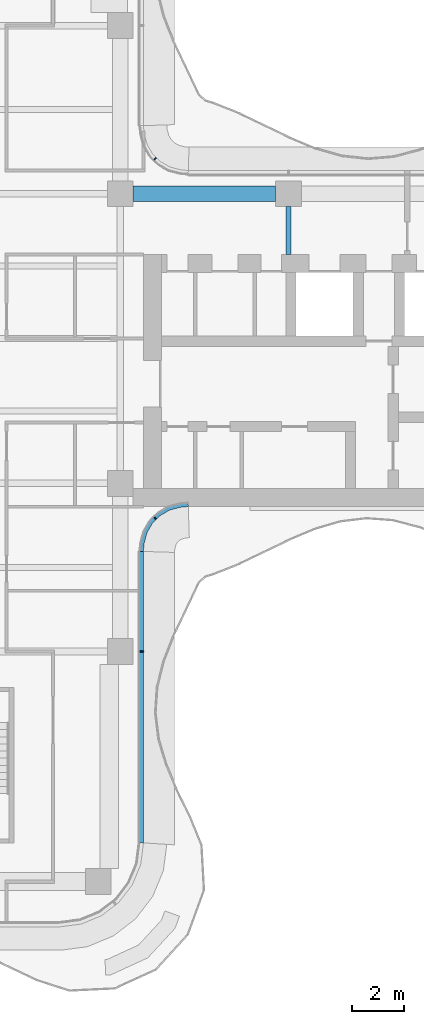
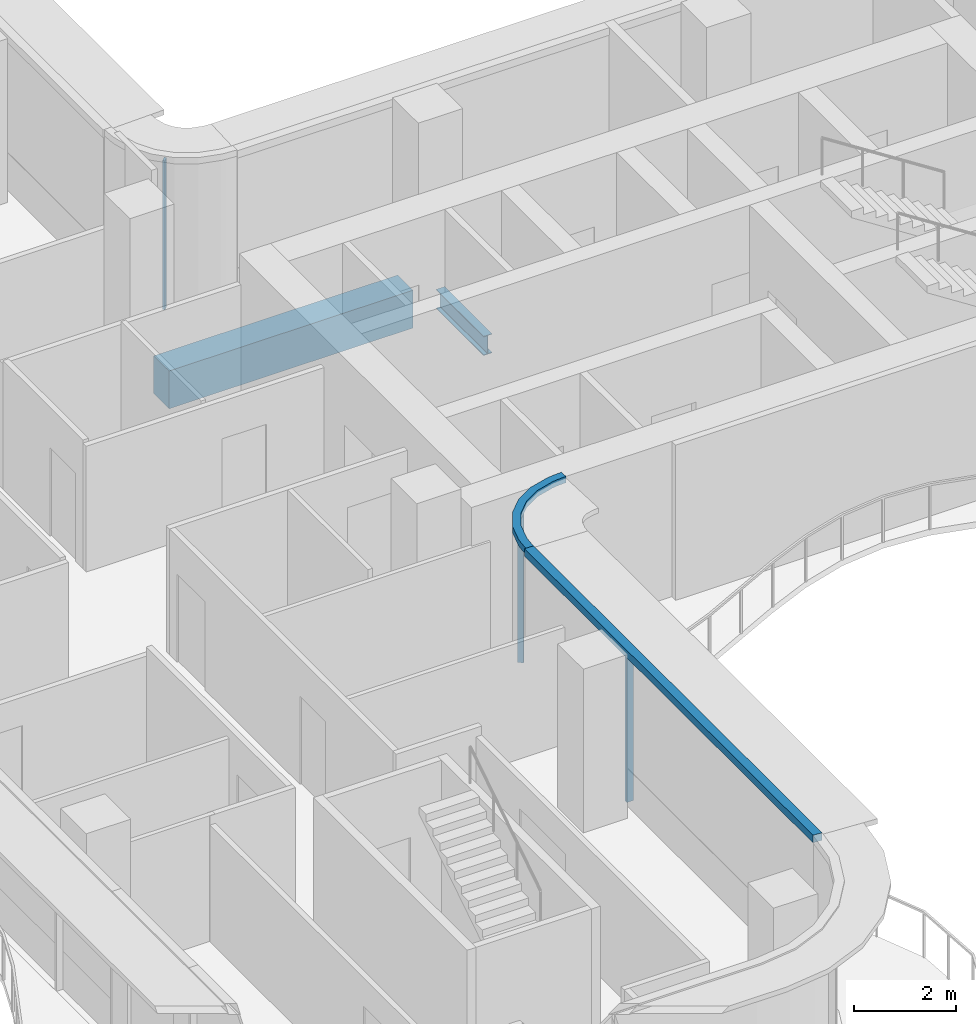
# One storey, part 5 of 16: 5 members, 2 beams, 3 elements without a shape of their own.
"""IFC4 building model written with IfcOpenShell, lengths in metres."""

import ifcopenshell
import ifcopenshell.guid

model = None  # the IFC model being written
_history = None  # IfcOwnerHistory: only IFC2X3 demands one
_inside = {}  # id of a spatial element -> (the spatial element, [elements in it])
_under = {}  # id of a project, library or spatial element -> (it, [spatial elements below it])
_declared = {}  # id of a project -> (the project, [libraries it declares])
_typed = {}  # id of a type object -> (the type object, [elements of that type])
_made_of = {}  # id of a material, layer set ... -> (it, [elements and type objects made of it])


def new_model(schema):
    """Start an empty IFC model of exactly this schema.

    Asked for "IFC4X3", IfcOpenShell would pick the latest addendum, in which some entities
    have other attributes; the version numbers below select the first issue.
    IFC2X3 requires an IfcOwnerHistory on every rooted entity: one is made here for all.
    """
    global model, _history
    if schema == "IFC4X3":
        model = ifcopenshell.file(schema_version=(4, 3, 0, 0))
    else:
        model = ifcopenshell.file(schema=schema)
    _inside.clear()
    _under.clear()
    _declared.clear()
    _typed.clear()
    _made_of.clear()
    _history = None
    if model.schema == "IFC2X3":
        org = make("IfcOrganization", Name="unknown")
        user = make(
            "IfcPersonAndOrganization",
            ThePerson=make("IfcPerson", FamilyName="unknown"),
            TheOrganization=org,
        )
        app = make(
            "IfcApplication",
            ApplicationDeveloper=org,
            Version="unknown",
            ApplicationFullName="unknown",
            ApplicationIdentifier="unknown",
        )
        _history = make(
            "IfcOwnerHistory",
            OwningUser=user,
            OwningApplication=app,
            ChangeAction="ADDED",
            CreationDate=0,
        )
    return model


def make(cls, **values):
    """One entity of the class cls with the attributes given. An attribute that is None is left unset."""
    return model.create_entity(
        cls, **{name: value for name, value in values.items() if value is not None}
    )


def rooted(cls, **values):
    """An entity with a GlobalId (a new one), such as an element, a storey or a relation."""
    return make(cls, GlobalId=ifcopenshell.guid.new(), OwnerHistory=_history, **values)


def si_unit(unit_type, name, prefix=None):
    """IfcSIUnit, for example si_unit("LENGTHUNIT", "METRE", prefix="MILLI")."""
    return make("IfcSIUnit", UnitType=unit_type, Prefix=prefix, Name=name)


def assignment(units):
    """IfcUnitAssignment: the units of a project."""
    return None if units is None else make("IfcUnitAssignment", Units=units)


def point(xyz):
    """IfcCartesianPoint."""
    return None if xyz is None else make("IfcCartesianPoint", Coordinates=xyz)


def direction(xyz):
    """IfcDirection."""
    return None if xyz is None else make("IfcDirection", DirectionRatios=xyz)


def frame(location, z_axis=None, x_axis=None):
    """IfcAxis2Placement3D, a coordinate frame: its origin and axes. An axis left out is left unset."""
    return make(
        "IfcAxis2Placement3D",
        Location=point(location),
        Axis=direction(z_axis),
        RefDirection=direction(x_axis),
    )


def frame_2d(location, x_axis=None):
    """IfcAxis2Placement2D, a coordinate frame in the plane: its origin and x axis."""
    return make(
        "IfcAxis2Placement2D", Location=point(location), RefDirection=direction(x_axis)
    )


def origin():
    """The frame at (0, 0, 0) with its axes left unset."""
    return frame((0.0, 0.0, 0.0))


def origin_2d():
    """The frame at (0, 0) in the plane with its x axis left unset."""
    return frame_2d((0.0, 0.0))


def place(relative_to, where):
    """IfcLocalPlacement: puts the frame where relative to a parent placement (None: the world)."""
    return make(
        "IfcLocalPlacement", PlacementRelTo=relative_to, RelativePlacement=where
    )


def context(
    kind, dimensions, precision=None, world=None, true_north=None, identifier=None
):
    """IfcGeometricRepresentationContext, for example the 3D "Model" context."""
    return make(
        "IfcGeometricRepresentationContext",
        ContextIdentifier=identifier,
        ContextType=kind,
        CoordinateSpaceDimension=dimensions,
        Precision=precision,
        WorldCoordinateSystem=world,
        TrueNorth=true_north,
    )


def subcontext(parent, identifier, kind, view, scale=None):
    """IfcGeometricRepresentationSubContext, for example "Body" below "Model"."""
    return make(
        "IfcGeometricRepresentationSubContext",
        ContextIdentifier=identifier,
        ContextType=kind,
        ParentContext=parent,
        TargetScale=scale,
        TargetView=view,
    )


def project(units=None, contexts=None):
    """IfcProject with its units and contexts."""
    return rooted(
        "IfcProject",
        Name="project",
        RepresentationContexts=contexts,
        UnitsInContext=assignment(units),
    )


def spatial(cls, under=None, at=None, **own):
    """A site, building, storey or space (cls), placed at a placement, below another one or the project."""
    s = rooted(cls, ObjectPlacement=at, **own)
    if under is not None:
        _under.setdefault(under.id(), (under, []))[1].append(s)
    return s


def polyline(points):
    """IfcPolyline through the points."""
    return make("IfcPolyline", Points=[point(p) for p in points])


def profile(cls, at=None, kind="AREA", **sizes):
    """A parametric profile (cls). Its sizes go by their IFC names, for example OverallWidth=200.0."""
    return make(cls, ProfileType=kind, Position=at, **sizes)


def rectangle(**sizes):
    """IfcRectangleProfileDef."""
    return profile("IfcRectangleProfileDef", **sizes)


def i_section(**sizes):
    """IfcIShapeProfileDef."""
    return profile("IfcIShapeProfileDef", **sizes)


def outline(outer, holes=None, kind="AREA"):
    """IfcArbitraryClosedProfileDef: a profile drawn as a closed curve; with holes, ...WithVoids."""
    if holes is None:
        return make("IfcArbitraryClosedProfileDef", ProfileType=kind, OuterCurve=outer)
    return make(
        "IfcArbitraryProfileDefWithVoids",
        ProfileType=kind,
        OuterCurve=outer,
        InnerCurves=holes,
    )


def extrude(swept, where, along, depth):
    """IfcExtrudedAreaSolid: the profile swept, set in the frame where, extruded along a direction by depth."""
    return make(
        "IfcExtrudedAreaSolid",
        SweptArea=swept,
        Position=where,
        ExtrudedDirection=direction(along),
        Depth=depth,
    )


def shape(context_of_items, identifier, shape_type, items):
    """IfcShapeRepresentation: the items that make up one representation, for example the "Body"."""
    return make(
        "IfcShapeRepresentation",
        ContextOfItems=context_of_items,
        RepresentationIdentifier=identifier,
        RepresentationType=shape_type,
        Items=items,
    )


def source(mapping_origin, context_of_items, identifier, shape_type, items):
    """IfcRepresentationMap: a shape defined once, which mapped items show again and again."""
    return make(
        "IfcRepresentationMap",
        MappingOrigin=mapping_origin,
        MappedRepresentation=shape(context_of_items, identifier, shape_type, items),
    )


def transform(
    local_origin,
    x_axis=None,
    y_axis=None,
    z_axis=None,
    scale=None,
    scale2=None,
    scale3=None,
    uniform=True,
):
    """IfcCartesianTransformationOperator3D, or its non-uniform kind. x_axis, y_axis, z_axis: its Axis1, 2, 3."""
    if uniform:
        return make(
            "IfcCartesianTransformationOperator3D",
            Axis1=direction(x_axis),
            Axis2=direction(y_axis),
            LocalOrigin=point(local_origin),
            Scale=scale,
            Axis3=direction(z_axis),
        )
    return make(
        "IfcCartesianTransformationOperator3DnonUniform",
        Axis1=direction(x_axis),
        Axis2=direction(y_axis),
        LocalOrigin=point(local_origin),
        Scale=scale,
        Axis3=direction(z_axis),
        Scale2=scale2,
        Scale3=scale3,
    )


def mapped(mapping_source, mapping_target):
    """IfcMappedItem: shows the shape of a source again, moved by a transform."""
    return make(
        "IfcMappedItem", MappingSource=mapping_source, MappingTarget=mapping_target
    )


def material(Name=None, Category=None):
    """IfcMaterial."""
    return make("IfcMaterial", Name=Name, Category=Category)


def layer(
    of_material, thickness, ventilated=None, Name=None, Category=None, Priority=None
):
    """IfcMaterialLayer: one layer of a wall or slab, of a material (None: an air gap)."""
    return make(
        "IfcMaterialLayer",
        Material=of_material,
        LayerThickness=thickness,
        IsVentilated=ventilated,
        Name=Name,
        Category=Category,
        Priority=Priority,
    )


def layer_set(layers, Name=None):
    """IfcMaterialLayerSet."""
    return make("IfcMaterialLayerSet", MaterialLayers=layers, LayerSetName=Name)


def material_profile(
    of_material, cross_section, Name=None, Category=None, Priority=None
):
    """IfcMaterialProfile: a cross section and its material."""
    return make(
        "IfcMaterialProfile",
        Name=Name,
        Material=of_material,
        Profile=cross_section,
        Priority=Priority,
        Category=Category,
    )


def profile_set(profiles, Name=None, composite=None):
    """IfcMaterialProfileSet."""
    return make(
        "IfcMaterialProfileSet",
        Name=Name,
        MaterialProfiles=profiles,
        CompositeProfile=composite,
    )


def made_of(thing, what):
    """Note that an element or type object is made of a material, layer set ...; save() writes the relation."""
    if what is not None:
        _made_of.setdefault(what.id(), (what, []))[1].append(thing)
    return thing


def type_object(cls, material=None, **own):
    """A type object (cls), such as IfcWallType, which elements share."""
    return made_of(rooted(cls, **own), material)


def element(
    cls,
    number,
    at=None,
    inside=None,
    cuts=None,
    type_object=None,
    material=None,
    context=None,
    identifier="Body",
    shape_type=None,
    held_by="IfcProductDefinitionShape",
    body=None,
    shapes=None,
    **own,
):
    """One element of the class cls, such as IfcWall. Its Tag is "e" and its number.

    at: its placement. inside: the storey or other place that contains it. cuts: it is an
    opening in that element (IfcRelVoidsElement). A single representation is given by context,
    identifier, shape_type and body (its items); several are given by shapes. held_by: the class
    of the entity that holds the representations. save() writes the other relations.
    """
    e = rooted(cls, Tag="e%d" % number, ObjectPlacement=at, **own)
    if body is not None:
        shapes = [shape(context, identifier, shape_type, body)]
    if shapes is not None:
        e.Representation = make(held_by, Representations=shapes)
    if inside is not None:
        _inside.setdefault(inside.id(), (inside, []))[1].append(e)
    if cuts is not None:
        rooted(
            "IfcRelVoidsElement", RelatingBuildingElement=cuts, RelatedOpeningElement=e
        )
    if type_object is not None:
        _typed.setdefault(type_object.id(), (type_object, []))[1].append(e)
    return made_of(e, material)


def aggregate(whole, parts):
    """IfcRelAggregates: a whole, such as a stair, and the parts it consists of."""
    return rooted("IfcRelAggregates", RelatingObject=whole, RelatedObjects=parts)


def save(model, path):
    """Write the relations noted so far, then the file.

    IfcRelAggregates (storeys below a building ...), IfcRelContainedInSpatialStructure (elements
    in a storey), IfcRelDefinesByType, IfcRelAssociatesMaterial and IfcRelDeclares: one each for
    every whole, place, type object, material and project.
    """
    for whole, parts in _under.values():
        aggregate(whole, parts)
    for where, things in _inside.values():
        rooted(
            "IfcRelContainedInSpatialStructure",
            RelatedElements=things,
            RelatingStructure=where,
        )
    for kind, things in _typed.values():
        rooted("IfcRelDefinesByType", RelatedObjects=things, RelatingType=kind)
    for what, things in _made_of.values():
        rooted("IfcRelAssociatesMaterial", RelatedObjects=things, RelatingMaterial=what)
    for by, libraries in _declared.values():
        rooted("IfcRelDeclares", RelatingContext=by, RelatedDefinitions=libraries)
    model.write(path)


model = new_model("IFC4")

# Units and contexts
model_context = context("Model", 3, precision=1e-05, world=origin(), true_north=direction((0.0, 1.0)))
body_context = subcontext(model_context, "Body", "Model", "MODEL_VIEW")
ifc_project = project(units=[si_unit("LENGTHUNIT", "METRE"), si_unit("AREAUNIT", "SQUARE_METRE"), si_unit("VOLUMEUNIT", "CUBIC_METRE"), si_unit("PLANEANGLEUNIT", "RADIAN"), si_unit("MASSUNIT", "GRAM", prefix="KILO")], contexts=[model_context])

# Site, building, storey
site_placement = place(None, origin())
site = spatial("IfcSite", under=ifc_project, at=site_placement, CompositionType="ELEMENT")
building_placement = place(site_placement, origin())
building = spatial("IfcBuilding", under=site, at=building_placement, Name="Trellis Farm Tower", CompositionType="ELEMENT")
storey_placement = place(building_placement, frame((0.0, 0.0, 302.800048828125)))
storey = spatial("IfcBuildingStorey", under=building, at=storey_placement, Name="L68", CompositionType="ELEMENT", Elevation=302.800048828125)

# Beams
ifc_material_1 = material(Name="Steel S355", Category="steel")
ifc_material_profile_1 = material_profile(ifc_material_1, i_section(OverallWidth=0.1904296875, OverallDepth=0.45703125, WebThickness=0.009033203125, FlangeThickness=0.014404296875, FilletRadius=0.01025390625, at=origin_2d()), Name="UB 457x191x74")
ifc_profile_set_1 = profile_set([ifc_material_profile_1], Name="Steel S355")
beam_type_1 = type_object("IfcBeamType", Name="UB 457x191x74", PredefinedType="BEAM", material=ifc_profile_set_1)
shared_shape_1 = source(origin(), body_context, "Body", "SweptSolid", [
    extrude(i_section(OverallWidth=0.1904296875, OverallDepth=0.45703125, WebThickness=0.009033203125, FlangeThickness=0.014404296875, FilletRadius=0.01025390625, at=origin_2d()), origin(), (0.0, 0.0, 1.0), 1.85009765625),
])
beam_1_placement = place(storey_placement, frame((12.10009765625, 3.25, -0.428466796875), z_axis=(0.0, 1.0, 0.0), x_axis=(-1.0, 0.0, 0.0)))
element("IfcBeam", 1, at=beam_1_placement, inside=storey, type_object=beam_type_1, Name="Girder", PredefinedType="BEAM", context=body_context, shape_type="MappedRepresentation", body=[
    mapped(shared_shape_1, transform((0.0, 0.0, 0.0))),
])
ifc_material_2 = material(Name="Concrete C60/75", Category="concrete")
ifc_material_profile_2 = material_profile(ifc_material_2, rectangle(XDim=0.60009765625, YDim=0.89990234375, at=origin_2d()), Name="RC spandrel beam 600x900 C60/75")
ifc_profile_set_2 = profile_set([ifc_material_profile_2], Name="Concrete C60/75")
beam_type_2 = type_object("IfcBeamType", Name="RC spandrel beam 600x900 C60/75", PredefinedType="SPANDREL", material=ifc_profile_set_2)
shared_shape_2 = source(origin(), body_context, "Body", "SweptSolid", [
    extrude(rectangle(XDim=0.60009765625, YDim=0.89990234375, at=origin_2d()), origin(), (0.0, 0.0, 1.0), 5.5),
])
beam_2_placement = place(storey_placement, frame((6.10009765625, 5.60009765625, -0.650146484375), z_axis=(1.0, 0.0, 0.0), x_axis=(0.0, 1.0, 0.0)))
element("IfcBeam", 2, at=beam_2_placement, inside=storey, type_object=beam_type_2, Name="Girder", PredefinedType="SPANDREL", context=body_context, shape_type="MappedRepresentation", body=[
    mapped(shared_shape_2, transform((0.0, 0.0, 0.0))),
])

# Curtain wall, member
ifc_material_3 = material(Name="Aluminium and glass curtain wall", Category="aluminium")
ifc_layer_1 = layer(ifc_material_3, 0.166015625)
ifc_layer_set_1 = layer_set([ifc_layer_1], Name="WINTER GARDEN CURTAIN WALL CW3")
curtain_wall_type_1 = type_object("IfcCurtainWallType", Name="WINTER GARDEN CURTAIN WALL CW3", PredefinedType="NOTDEFINED", material=ifc_layer_set_1)
placement = place(storey_placement, origin())
curtain_wall_1 = element("IfcCurtainWall", 3, at=placement, inside=storey, type_object=curtain_wall_type_1, Name="CW3 002", PredefinedType="NOTDEFINED")
ifc_material_4 = material(Name="Aluminium extrusion 6063-T6", Category="aluminium")
ifc_layer_2 = layer(ifc_material_4, 0.169921875)
ifc_layer_set_2 = layer_set([ifc_layer_2], Name="Aluminium extrusion 6063-T6")
member_type_1 = type_object("IfcMemberType", Name="CW3 TRANSOM 170x150", PredefinedType="USERDEFINED", material=ifc_layer_set_2)
shared_shape_3 = source(origin(), body_context, "Body", "SweptSolid", [
    extrude(outline(polyline([(6.5, -8.2314453125), (6.513916015625, -8.01953125), (6.527587890625, -7.91552734375), (6.63671875, -7.508544921875), (6.846923828125, -7.144287109375), (7.144287109375, -6.846923828125), (7.508544921875, -6.63671875), (7.91552734375, -6.527587890625), (8.01953125, -6.513916015625), (8.2314453125, -6.5), (8.225830078125, -6.330078125), (8.0029296875, -6.3447265625), (7.88232421875, -6.360595703125), (7.44287109375, -6.478271484375), (7.0400390625, -6.7109375), (6.7109375, -7.0400390625), (6.478271484375, -7.44287109375), (6.360595703125, -7.88232421875), (6.3447265625, -8.0029296875), (6.330078125, -8.225830078125), (6.5, -8.2314453125)])), origin(), (0.0, 0.0, 1.0), 0.14990234375),
])
member_1_placement = place(storey_placement, frame((0.0, 0.0, 3.550048828125)))
member_1 = element("IfcMember", 4, at=member_1_placement, type_object=member_type_1, Name="TR3 002", ObjectType="TRANSOM", PredefinedType="USERDEFINED", context=body_context, shape_type="MappedRepresentation", body=[
    mapped(shared_shape_3, transform((0.0, 0.0, 0.0))),
])

ifc_layer_3 = layer(ifc_material_3, 0.18994140625)
ifc_layer_set_3 = layer_set([ifc_layer_3], Name="RIBBON CURTAIN WALL CW1")
curtain_wall_type_2 = type_object("IfcCurtainWallType", Name="RIBBON CURTAIN WALL CW1", PredefinedType="NOTDEFINED", material=ifc_layer_set_3)
curtain_wall_2 = element("IfcCurtainWall", 5, at=placement, inside=storey, type_object=curtain_wall_type_2, Name="CW1 005", PredefinedType="NOTDEFINED")
ifc_material_profile_3 = material_profile(ifc_material_4, rectangle(XDim=0.06005859375, YDim=0.14990234375, at=origin_2d()), Name="MULLION 60x150")
ifc_profile_set_3 = profile_set([ifc_material_profile_3], Name="Aluminium extrusion 6063-T6")
member_type_2 = type_object("IfcMemberType", Name="CW1 MULLION 60x150", PredefinedType="MULLION", material=ifc_profile_set_3)
shared_shape_4 = source(origin(), body_context, "Body", "SweptSolid", [
    extrude(rectangle(XDim=0.06005859375, YDim=0.14990234375, at=origin_2d()), origin(), (0.0, 0.0, 1.0), 3.52001953125),
])
member_2_placement = place(storey_placement, frame((6.425048828125, -12.10009765625, 0.0), z_axis=(0.0, 0.0, 1.0), x_axis=(0.0, 1.0, 0.0)))
member_2 = element("IfcMember", 6, at=member_2_placement, type_object=member_type_2, Name="MU1 005-01", PredefinedType="MULLION", context=body_context, shape_type="MappedRepresentation", body=[
    mapped(shared_shape_4, transform((0.0, 0.0, 0.0))),
])

# Member
ifc_material_profile_4 = material_profile(ifc_material_4, rectangle(XDim=0.050048828125, YDim=0.1201171875, at=origin_2d()), Name="MULLION 50x120")
ifc_profile_set_4 = profile_set([ifc_material_profile_4], Name="Aluminium extrusion 6063-T6")
member_type_3 = type_object("IfcMemberType", Name="CW3 MULLION 50x120", PredefinedType="MULLION", material=ifc_profile_set_4)
shared_shape_5 = source(origin(), body_context, "Body", "SweptSolid", [
    extrude(rectangle(XDim=0.050048828125, YDim=0.1201171875, at=origin_2d()), origin(), (0.0, 0.0, 1.0), 3.550048828125),
])
member_3_placement = place(storey_placement, frame((6.953125, -6.953125, 0.0), z_axis=(0.0, 0.0, 1.0), x_axis=(0.707106781187, 0.707106781187, 0.0)))
member_3 = element("IfcMember", 7, at=member_3_placement, type_object=member_type_3, Name="MU3 002-01", PredefinedType="MULLION", context=body_context, shape_type="MappedRepresentation", body=[
    mapped(shared_shape_5, transform((0.0, 0.0, 0.0))),
])

aggregate(curtain_wall_1, [member_3, member_1])

# Curtain wall, member
curtain_wall_3 = element("IfcCurtainWall", 8, at=placement, inside=storey, type_object=curtain_wall_type_1, Name="CW3 003", PredefinedType="NOTDEFINED")
member_4_placement = place(storey_placement, frame((6.953125, 6.953125, 0.0), z_axis=(0.0, 0.0, 1.0), x_axis=(-0.707106781187, 0.707106781187, 0.0)))
member_4 = element("IfcMember", 9, at=member_4_placement, type_object=member_type_3, Name="MU3 003-01", PredefinedType="MULLION", context=body_context, shape_type="MappedRepresentation", body=[
    mapped(shared_shape_5, transform((0.0, 0.0, 0.0))),
])
aggregate(curtain_wall_3, [member_4])

# Member
ifc_layer_4 = layer(ifc_material_4, 0.199951171875)
ifc_layer_set_4 = layer_set([ifc_layer_4], Name="Aluminium extrusion 6063-T6")
member_type_4 = type_object("IfcMemberType", Name="CW1 TRANSOM 200x180", PredefinedType="USERDEFINED", material=ifc_layer_set_4)
shared_shape_6 = source(origin(), body_context, "Body", "SweptSolid", [
    extrude(outline(polyline([(6.5, -19.5), (6.5, -8.2314453125), (6.300048828125, -8.224853515625), (6.300048828125, -19.48681640625), (6.5, -19.5)])), origin(), (0.0, 0.0, 1.0), 0.179931640625),
])
member_5_placement = place(storey_placement, frame((0.0, 0.0, 3.52001953125)))
member_5 = element("IfcMember", 10, at=member_5_placement, type_object=member_type_4, Name="TR1 005", ObjectType="TRANSOM", PredefinedType="USERDEFINED", context=body_context, shape_type="MappedRepresentation", body=[
    mapped(shared_shape_6, transform((0.0, 0.0, 0.0))),
])

aggregate(curtain_wall_2, [member_2, member_5])

save(model, "model.ifc")
